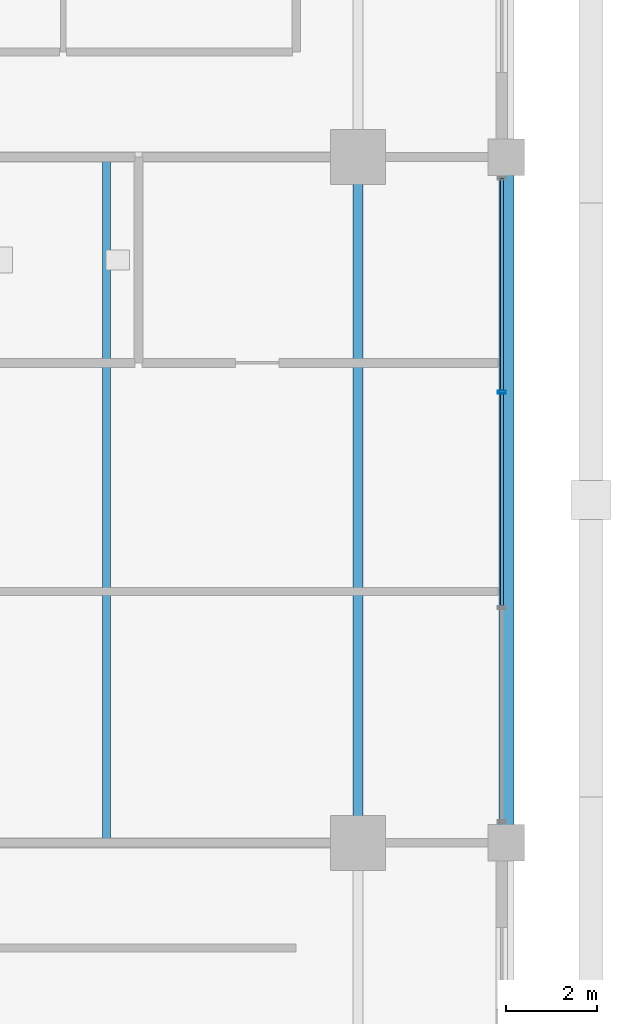
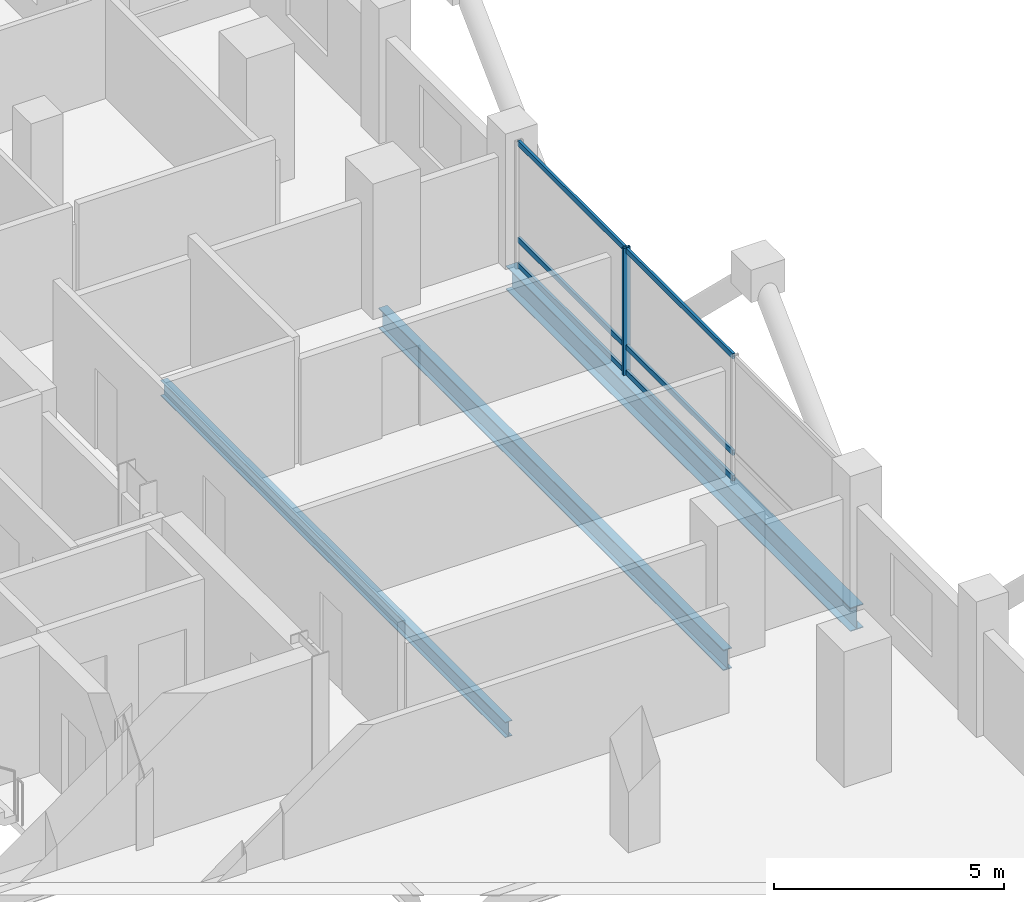
# One storey, part 9 of 22: 7 members, 3 beams, 1 element without a shape of its own.
"""IFC4 building model written with IfcOpenShell, lengths in metres."""

from ifc_helpers import new_model, si_unit, direction, frame, origin, origin_2d, place, context, subcontext, project, spatial, hollow_rectangle, i_section, extrude, material, layer, layer_set, material_profile, profile_set, type_object, element, aggregate, save


model = new_model("IFC4")

# Units and contexts
model_context = context("Model", 3, precision=1e-05, world=origin(), true_north=direction((0.0, 1.0)))
body_context = subcontext(model_context, "Body", "Model", "MODEL_VIEW")
ifc_project = project(units=[si_unit("LENGTHUNIT", "METRE"), si_unit("AREAUNIT", "SQUARE_METRE"), si_unit("VOLUMEUNIT", "CUBIC_METRE"), si_unit("PLANEANGLEUNIT", "RADIAN"), si_unit("MASSUNIT", "GRAM", prefix="KILO")], contexts=[model_context])

# Site, building, storey
site_placement = place(None, origin())
site = spatial("IfcSite", under=ifc_project, at=site_placement, CompositionType="ELEMENT")
building_placement = place(site_placement, origin())
building = spatial("IfcBuilding", under=site, at=building_placement, Name="Barlavira Tower and Art Museum", CompositionType="ELEMENT")
storey_placement = place(building_placement, frame((0.0, 0.0, 129.60009765625)))
storey = spatial("IfcBuildingStorey", under=building, at=storey_placement, Name="L32", CompositionType="ELEMENT", Elevation=129.60009765625)

# Curtain wall, members
ifc_material_1 = material(Name="Low-iron coastal laminated glass", Category="glass")
ifc_layer = layer(ifc_material_1, 0.18994140625, Name="Low-iron coastal laminated glass")
ifc_layer_set = layer_set([ifc_layer], Name="Low-iron coastal laminated glass")
curtain_wall_type = type_object("IfcCurtainWallType", Name="Pale-Metal Unitised Curtain Wall Zone 2", PredefinedType="NOTDEFINED", material=ifc_layer_set)
curtain_wall_placement = place(storey_placement, origin())
curtain_wall = element("IfcCurtainWall", 1, at=curtain_wall_placement, inside=storey, type_object=curtain_wall_type, Name="L32 Curtain Wall CW2-L32-E-B3", PredefinedType="NOTDEFINED")
ifc_material_2 = material(Name="Pale anodised aluminium", Category="aluminium")
ifc_material_profile_1 = material_profile(ifc_material_2, hollow_rectangle(XDim=0.06494140625, YDim=0.179931640625, WallThickness=0.00390625, at=origin_2d()), Name="ALU-MULL 65x180x4")
ifc_profile_set_1 = profile_set([ifc_material_profile_1], Name="Pale anodised aluminium")
member_type_1 = type_object("IfcMemberType", Name="Curtain Wall Pale-Metal Mullion 65x180", PredefinedType="MULLION", material=ifc_profile_set_1)
member_1_placement = place(storey_placement, frame((20.14990234375, 2.360107421875, 0.0), z_axis=(0.0, 0.0, 1.0), x_axis=(0.0, 1.0, 0.0)))
member_1 = element("IfcMember", 2, at=member_1_placement, type_object=member_type_1, Name="CW2-L32-E-B3 Mullion 2", PredefinedType="MULLION", context=body_context, shape_type="SweptSolid", body=[
    extrude(hollow_rectangle(XDim=0.06494140625, YDim=0.179931640625, WallThickness=0.00390625, at=origin_2d()), origin(), (0.0, 0.0, 1.0), 3.3798828125),
])
ifc_material_profile_2 = material_profile(ifc_material_2, hollow_rectangle(XDim=0.06494140625, YDim=0.139892578125, WallThickness=0.00390625, at=origin_2d()), Name="ALU-TRAN 65x140x4")
ifc_profile_set_2 = profile_set([ifc_material_profile_2], Name="Pale anodised aluminium")
member_type_2 = type_object("IfcMemberType", Name="Curtain Wall Pale-Metal Transom 65x140", PredefinedType="USERDEFINED", material=ifc_profile_set_2)
member_2_placement = place(storey_placement, frame((20.14990234375, -2.31494140625, 0.06982421875), z_axis=(0.0, 1.0, 0.0), x_axis=(-1.0, 0.0, 0.0)))
member_2 = element("IfcMember", 3, at=member_2_placement, type_object=member_type_2, Name="CW2-L32-E-B3 Transom 1.1", ObjectType="TRANSOM", PredefinedType="USERDEFINED", context=body_context, shape_type="SweptSolid", body=[
    extrude(hollow_rectangle(XDim=0.06494140625, YDim=0.139892578125, WallThickness=0.00390625, at=origin_2d()), origin(), (0.0, 0.0, 1.0), 4.6298828125),
])
member_3_placement = place(storey_placement, frame((20.14990234375, -2.31494140625, 0.743896484375), z_axis=(0.0, 1.0, 0.0), x_axis=(-1.0, 0.0, 0.0)))
member_3 = element("IfcMember", 4, at=member_3_placement, type_object=member_type_2, Name="CW2-L32-E-B3 Transom 1.2", ObjectType="TRANSOM", PredefinedType="USERDEFINED", context=body_context, shape_type="SweptSolid", body=[
    extrude(hollow_rectangle(XDim=0.06494140625, YDim=0.139892578125, WallThickness=0.00390625, at=origin_2d()), origin(), (0.0, 0.0, 1.0), 4.6298828125),
])
member_4_placement = place(storey_placement, frame((20.14990234375, -2.31494140625, 3.309814453125), z_axis=(0.0, 1.0, 0.0), x_axis=(-1.0, 0.0, 0.0)))
member_4 = element("IfcMember", 5, at=member_4_placement, type_object=member_type_2, Name="CW2-L32-E-B3 Transom 1.3", ObjectType="TRANSOM", PredefinedType="USERDEFINED", context=body_context, shape_type="SweptSolid", body=[
    extrude(hollow_rectangle(XDim=0.06494140625, YDim=0.139892578125, WallThickness=0.00390625, at=origin_2d()), origin(), (0.0, 0.0, 1.0), 4.6298828125),
])
member_5_placement = place(storey_placement, frame((20.14990234375, 2.405029296875, 0.06982421875), z_axis=(0.0, 1.0, 0.0), x_axis=(-1.0, 0.0, 0.0)))
member_5 = element("IfcMember", 6, at=member_5_placement, type_object=member_type_2, Name="CW2-L32-E-B3 Transom 2.1", ObjectType="TRANSOM", PredefinedType="USERDEFINED", context=body_context, shape_type="SweptSolid", body=[
    extrude(hollow_rectangle(XDim=0.06494140625, YDim=0.139892578125, WallThickness=0.00390625, at=origin_2d()), origin(), (0.0, 0.0, 1.0), 4.6298828125),
])
member_6_placement = place(storey_placement, frame((20.14990234375, 2.405029296875, 0.743896484375), z_axis=(0.0, 1.0, 0.0), x_axis=(-1.0, 0.0, 0.0)))
member_6 = element("IfcMember", 7, at=member_6_placement, type_object=member_type_2, Name="CW2-L32-E-B3 Transom 2.2", ObjectType="TRANSOM", PredefinedType="USERDEFINED", context=body_context, shape_type="SweptSolid", body=[
    extrude(hollow_rectangle(XDim=0.06494140625, YDim=0.139892578125, WallThickness=0.00390625, at=origin_2d()), origin(), (0.0, 0.0, 1.0), 4.6298828125),
])
member_7_placement = place(storey_placement, frame((20.14990234375, 2.405029296875, 3.309814453125), z_axis=(0.0, 1.0, 0.0), x_axis=(-1.0, 0.0, 0.0)))
member_7 = element("IfcMember", 8, at=member_7_placement, type_object=member_type_2, Name="CW2-L32-E-B3 Transom 2.3", ObjectType="TRANSOM", PredefinedType="USERDEFINED", context=body_context, shape_type="SweptSolid", body=[
    extrude(hollow_rectangle(XDim=0.06494140625, YDim=0.139892578125, WallThickness=0.00390625, at=origin_2d()), origin(), (0.0, 0.0, 1.0), 4.6298828125),
])
aggregate(curtain_wall, [member_1, member_2, member_3, member_4, member_5, member_6, member_7])

# Beams
ifc_material_3 = material(Name="Steel S355", Category="steel")
ifc_material_profile_3 = material_profile(ifc_material_3, i_section(OverallWidth=0.327880859375, OverallDepth=0.62890625, WebThickness=0.013916015625, FlangeThickness=0.021484375, at=origin_2d()), Name="W610x174.0")
ifc_profile_set_3 = profile_set([ifc_material_profile_3], Name="Steel S355")
beam_type_1 = type_object("IfcBeamType", Name="Perimeter Spandrel Edge Beam W610x174 Steel S355", PredefinedType="SPANDREL", material=ifc_profile_set_3)
beam_1_placement = place(storey_placement, frame((20.25, -7.5, -0.53466796875), z_axis=(0.0, 1.0, 0.0), x_axis=(-1.0, 0.0, 0.0)))
element("IfcBeam", 9, at=beam_1_placement, inside=storey, type_object=beam_type_1, Name="L32 Spandrel 6", PredefinedType="SPANDREL", context=body_context, shape_type="SweptSolid", body=[
    extrude(i_section(OverallWidth=0.327880859375, OverallDepth=0.62890625, WebThickness=0.013916015625, FlangeThickness=0.021484375, at=origin_2d()), origin(), (0.0, 0.0, 1.0), 15.0),
])
ifc_material_profile_4 = material_profile(ifc_material_3, i_section(OverallWidth=0.214111328125, OverallDepth=0.549072265625, WebThickness=0.0146484375, FlangeThickness=0.023681640625, at=origin_2d()), Name="W530x138.0")
ifc_profile_set_4 = profile_set([ifc_material_profile_4], Name="Steel S355")
beam_type_2 = type_object("IfcBeamType", Name="Zone 1 Primary Floor Girder W530x138 Steel S355", PredefinedType="BEAM", material=ifc_profile_set_4)
beam_2_placement = place(storey_placement, frame((17.0, -7.5, -0.49462890625), z_axis=(0.0, 1.0, 0.0), x_axis=(-1.0, 0.0, 0.0)))
element("IfcBeam", 10, at=beam_2_placement, inside=storey, type_object=beam_type_2, Name="L32 Girder M-E2", PredefinedType="BEAM", context=body_context, shape_type="SweptSolid", body=[
    extrude(i_section(OverallWidth=0.214111328125, OverallDepth=0.549072265625, WebThickness=0.0146484375, FlangeThickness=0.023681640625, at=origin_2d()), origin(), (0.0, 0.0, 1.0), 15.0),
])
ifc_material_profile_5 = material_profile(ifc_material_3, i_section(OverallWidth=0.179931640625, OverallDepth=0.4130859375, WebThickness=0.009765625, FlangeThickness=0.01611328125, at=origin_2d()), Name="W410x75.0")
ifc_profile_set_5 = profile_set([ifc_material_profile_5], Name="Steel S355")
beam_type_3 = type_object("IfcBeamType", Name="Zone 2 Composite Floor Joist W410x75 Steel S355", PredefinedType="JOIST", material=ifc_profile_set_5)
beam_3_placement = place(storey_placement, frame((11.5, -7.5, -0.426513671875), z_axis=(0.0, 1.0, 0.0), x_axis=(-1.0, 0.0, 0.0)))
element("IfcBeam", 11, at=beam_3_placement, inside=storey, type_object=beam_type_3, Name="L32 Joist W2", PredefinedType="JOIST", context=body_context, shape_type="SweptSolid", body=[
    extrude(i_section(OverallWidth=0.179931640625, OverallDepth=0.4130859375, WebThickness=0.009765625, FlangeThickness=0.01611328125, at=origin_2d()), origin(), (0.0, 0.0, 1.0), 15.0),
])

save(model, "model.ifc")
